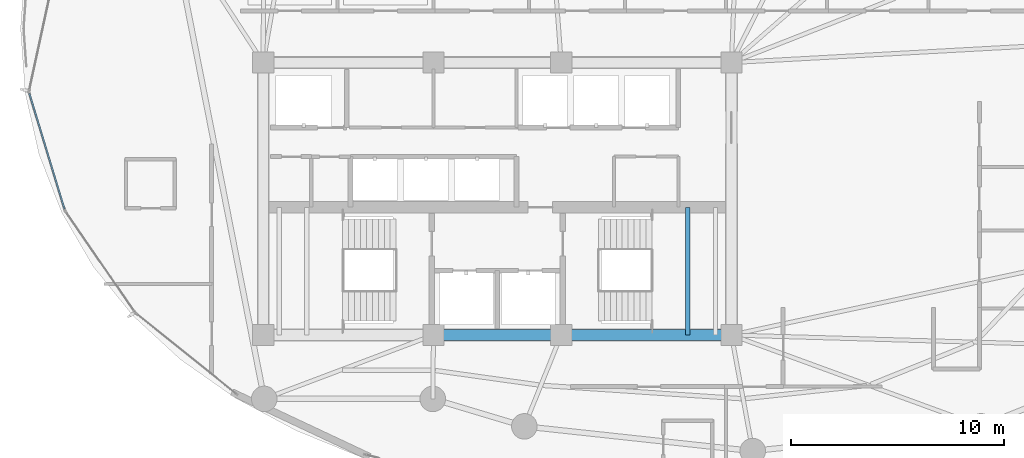
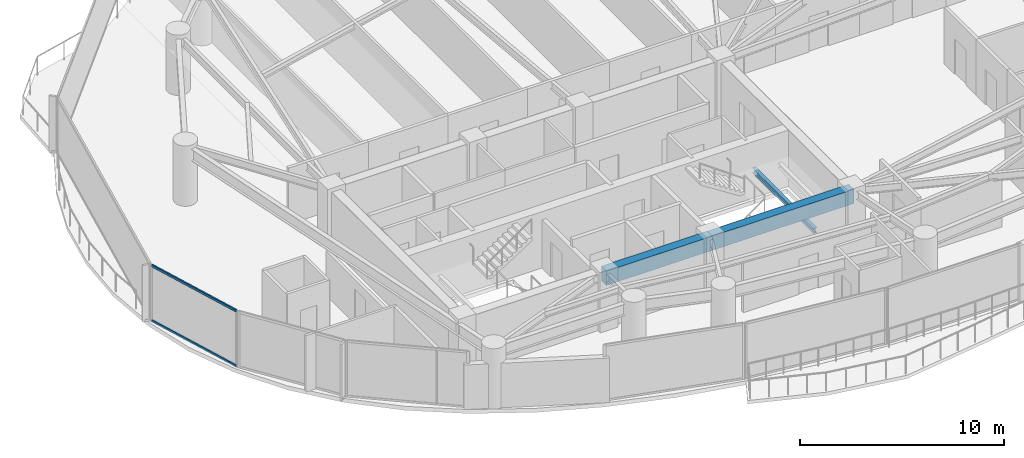
# One storey, part 7 of 34: 3 beams, 2 members, 1 element without a shape of its own.
"""IFC4 building model written with IfcOpenShell, lengths in metres."""

from ifc_helpers import new_model, si_unit, direction, frame, origin, origin_2d, place, context, subcontext, project, spatial, rectangle, hollow_rectangle, i_section, extrude, material, layer, layer_set, material_profile, profile_set, type_object, element, aggregate, save


model = new_model("IFC4")

# Units and contexts
model_context = context("Model", 3, precision=1e-05, world=origin(), true_north=direction((0.0, 1.0)))
body_context = subcontext(model_context, "Body", "Model", "MODEL_VIEW")
ifc_project = project(units=[si_unit("LENGTHUNIT", "METRE"), si_unit("AREAUNIT", "SQUARE_METRE"), si_unit("VOLUMEUNIT", "CUBIC_METRE"), si_unit("PLANEANGLEUNIT", "RADIAN"), si_unit("MASSUNIT", "GRAM", prefix="KILO")], contexts=[model_context])

# Site, building, storey
site_placement = place(None, origin())
site = spatial("IfcSite", under=ifc_project, at=site_placement, CompositionType="ELEMENT")
building_placement = place(site_placement, origin())
building = spatial("IfcBuilding", under=site, at=building_placement, Name="Kazevale Care Tower and Concert Hall", CompositionType="ELEMENT")
storey_placement = place(building_placement, frame((0.0, 0.0, 171.0)))
storey = spatial("IfcBuildingStorey", under=building, at=storey_placement, Name="L45", CompositionType="ELEMENT", Elevation=171.0)

# Curtain wall, members
ifc_material_1 = material(Name="Aluminium 6063-T6 and Low-E Glass", Category="aluminium")
ifc_layer = layer(ifc_material_1, 0.179931640625)
ifc_layer_set = layer_set([ifc_layer], Name="Aluminium 6063-T6 and Low-E Glass")
curtain_wall_type = type_object("IfcCurtainWallType", Name="Waist & Upper Residential Curtain Wall CW-4", PredefinedType="NOTDEFINED", material=ifc_layer_set)
curtain_wall_placement = place(storey_placement, origin())
curtain_wall = element("IfcCurtainWall", 1, at=curtain_wall_placement, inside=storey, type_object=curtain_wall_type, Name="cw:L45:f12", PredefinedType="NOTDEFINED")
ifc_material_2 = material(Name="Aluminium 6063-T6", Category="aluminium")
ifc_material_profile_1 = material_profile(ifc_material_2, hollow_rectangle(XDim=0.080078125, YDim=0.139892578125, WallThickness=0.00390625, at=origin_2d()), Name="ALU80x140x4")
ifc_profile_set_1 = profile_set([ifc_material_profile_1], Name="Aluminium 6063-T6")
member_type = type_object("IfcMemberType", Name="CW-4 Transom ALU80x140x4", PredefinedType="USERDEFINED", material=ifc_profile_set_1)
member_1_placement = place(storey_placement, frame((12.669677734375, 29.517578125, 0.0400390625), z_axis=(-0.290964759976, 0.956733770937, 0.0), x_axis=(-0.956733770937, -0.290964759976, 0.0)))
member_1 = element("IfcMember", 2, at=member_1_placement, type_object=member_type, Name="CW-4 transom 1.1", ObjectType="TRANSOM", PredefinedType="USERDEFINED", context=body_context, shape_type="SweptSolid", body=[
    extrude(hollow_rectangle(XDim=0.080078125, YDim=0.139892578125, WallThickness=0.00390625, at=origin_2d()), origin(), (0.0, 0.0, 1.0), 5.675537109375),
])
member_2_placement = place(storey_placement, frame((12.669677734375, 29.517578125, 3.320068359375), z_axis=(-0.290964759976, 0.956733770937, 0.0), x_axis=(-0.956733770937, -0.290964759976, 0.0)))
member_2 = element("IfcMember", 3, at=member_2_placement, type_object=member_type, Name="CW-4 transom 1.2", ObjectType="TRANSOM", PredefinedType="USERDEFINED", context=body_context, shape_type="SweptSolid", body=[
    extrude(hollow_rectangle(XDim=0.080078125, YDim=0.139892578125, WallThickness=0.00390625, at=origin_2d()), origin(), (0.0, 0.0, 1.0), 5.675537109375),
])
aggregate(curtain_wall, [member_1, member_2])

# Beams
ifc_material_3 = material(Name="Concrete C60", Category="concrete")
ifc_material_profile_2 = material_profile(ifc_material_3, rectangle(XDim=0.5, YDim=0.85009765625, at=origin_2d()), Name="RC-B500x850")
ifc_profile_set_2 = profile_set([ifc_material_profile_2], Name="Concrete C60")
beam_type_1 = type_object("IfcBeamType", Name="Core Coupling Beam RC500x850", PredefinedType="LINTEL", material=ifc_profile_set_2)
beam_1_placement = place(storey_placement, frame((30.0, 23.60009765625, 2.93505859375), z_axis=(1.0, 0.0, 0.0), x_axis=(0.0, 1.0, 0.0)))
element("IfcBeam", 4, at=beam_1_placement, inside=storey, type_object=beam_type_1, Name="beam:L45:coretie:2", PredefinedType="LINTEL", context=body_context, shape_type="SweptSolid", body=[
    extrude(rectangle(XDim=0.5, YDim=0.85009765625, at=origin_2d()), origin(), (0.0, 0.0, 1.0), 6.0),
])
beam_2_placement = place(storey_placement, frame((36.0, 23.60009765625, 2.93505859375), z_axis=(1.0, 0.0, 0.0), x_axis=(0.0, 1.0, 0.0)))
element("IfcBeam", 5, at=beam_2_placement, inside=storey, type_object=beam_type_1, Name="beam:L45:coretie:3", PredefinedType="LINTEL", context=body_context, shape_type="SweptSolid", body=[
    extrude(rectangle(XDim=0.5, YDim=0.85009765625, at=origin_2d()), origin(), (0.0, 0.0, 1.0), 8.0),
])
ifc_material_4 = material(Name="Steel ASTM A572 Gr 50", Category="steel")
ifc_material_profile_3 = material_profile(ifc_material_4, i_section(OverallWidth=0.202880859375, OverallDepth=0.302978515625, WebThickness=0.007568359375, FlangeThickness=0.01318359375, at=origin_2d()), Name="W310x60")
ifc_profile_set_3 = profile_set([ifc_material_profile_3], Name="Steel ASTM A572 Gr 50")
beam_type_2 = type_object("IfcBeamType", Name="Stair & Balcony Trimmer W310x60", PredefinedType="BEAM", material=ifc_profile_set_3)
beam_3_placement = place(storey_placement, frame((41.949951171875, 23.60009765625, 1.448486328125), z_axis=(0.0, 1.0, 0.0), x_axis=(-1.0, 0.0, 0.0)))
element("IfcBeam", 6, at=beam_3_placement, inside=storey, type_object=beam_type_2, Name="beam:L45:sttrim:ST2", PredefinedType="BEAM", context=body_context, shape_type="SweptSolid", body=[
    extrude(i_section(OverallWidth=0.202880859375, OverallDepth=0.302978515625, WebThickness=0.007568359375, FlangeThickness=0.01318359375, at=origin_2d()), origin(), (0.0, 0.0, 1.0), 6.0),
])

save(model, "model.ifc")
